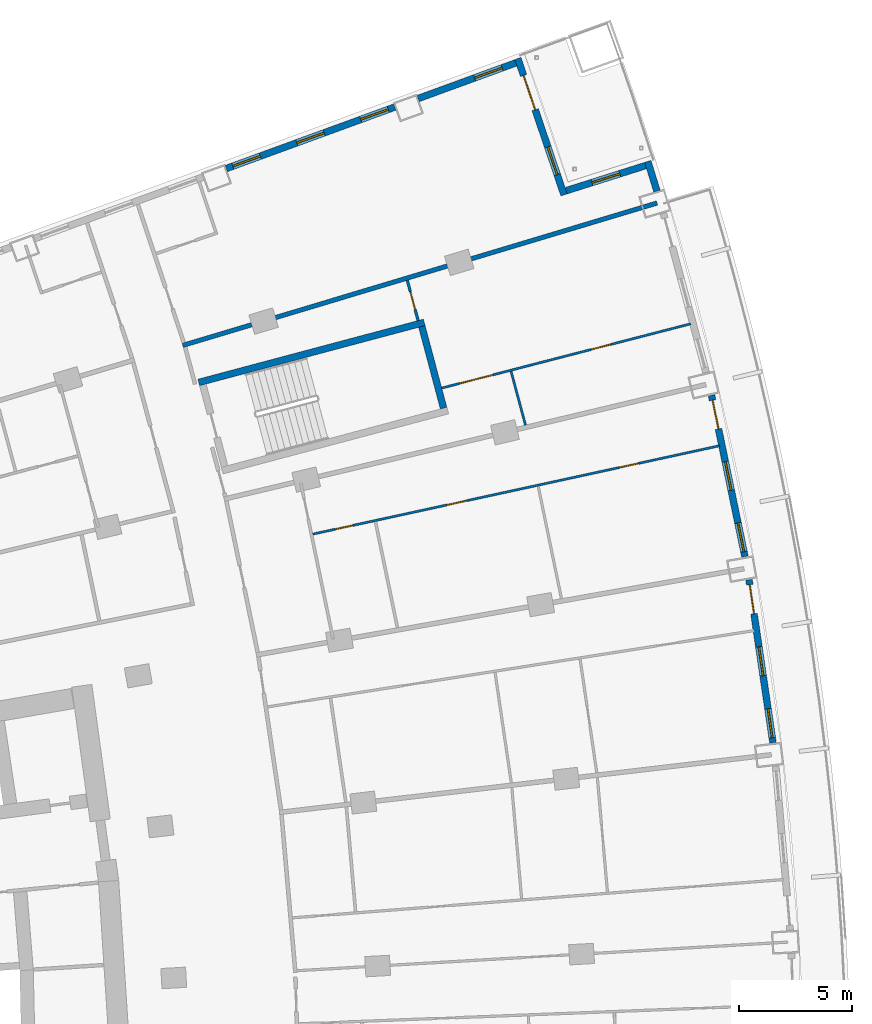
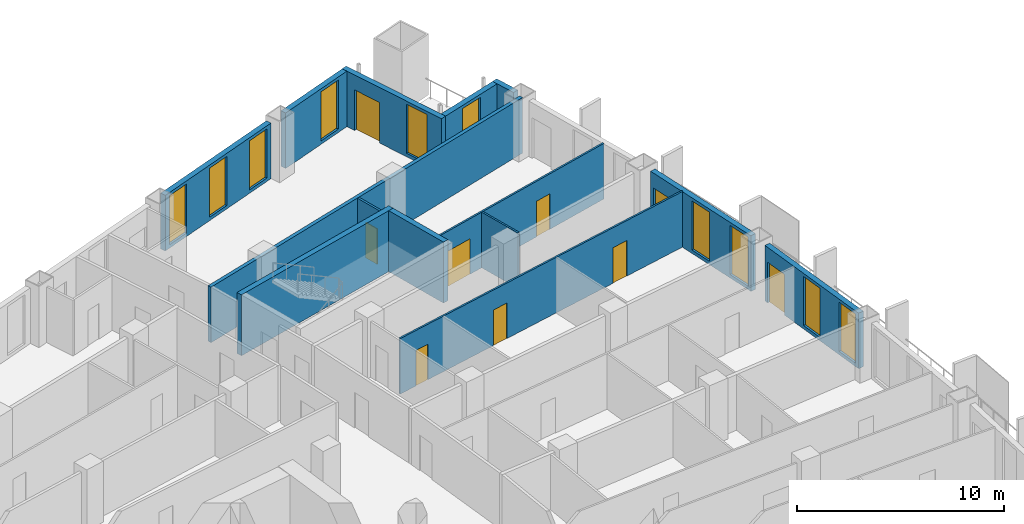
# One storey, part 21 of 25: 14 walls, 10 windows, 9 doors, 19 openings.
"""IFC4 building model written with IfcOpenShell, lengths in metres."""

from ifc_helpers import new_model, si_unit, direction, frame, frame_2d, origin, place, context, subcontext, project, spatial, rectangle, extrude, material, layer, layer_set, type_object, element, fill, save


model = new_model("IFC4")

# Units and contexts
model_context = context("Model", 3, precision=1e-05, world=origin(), true_north=direction((0.0, 1.0)))
body_context = subcontext(model_context, "Body", "Model", "MODEL_VIEW")
ifc_project = project(units=[si_unit("LENGTHUNIT", "METRE"), si_unit("AREAUNIT", "SQUARE_METRE"), si_unit("VOLUMEUNIT", "CUBIC_METRE"), si_unit("PLANEANGLEUNIT", "RADIAN"), si_unit("MASSUNIT", "GRAM", prefix="KILO")], contexts=[model_context])

# Site, building, storey
site_placement = place(None, origin())
site = spatial("IfcSite", under=ifc_project, at=site_placement, CompositionType="ELEMENT")
building_placement = place(site_placement, origin())
building = spatial("IfcBuilding", under=site, at=building_placement, Name="Alderwake Tower", CompositionType="ELEMENT")
storey_placement = place(building_placement, frame((0.0, 0.0, 46.39990234375)))
storey = spatial("IfcBuildingStorey", under=building, at=storey_placement, Name="L10", CompositionType="ELEMENT", Elevation=46.39990234375)

# Walls
ifc_material_1 = material(Name="Concrete C70/85", Category="concrete")
ifc_layer_1 = layer(ifc_material_1, 0.300048828125)
ifc_layer_set_1 = layer_set([ifc_layer_1], Name="Core wall stair enclosure 300 C70-85")
wall_type_1 = type_object("IfcWallType", Name="Core wall stair enclosure 300 C70-85", PredefinedType="SHEAR", material=ifc_layer_set_1)
wall_1_placement = place(storey_placement, frame((36.71142578125, 94.182373046875, 0.0), z_axis=(0.0, 0.0, 1.0), x_axis=(0.966309214305, 0.257383958996, 0.0)))
element("IfcWall", 1, at=wall_1_placement, inside=storey, type_object=wall_type_1, Name="Core wall CW.082", PredefinedType="SHEAR", context=body_context, shape_type="SweptSolid", body=[
    extrude(rectangle(XDim=10.360107421875, YDim=0.300048828125, at=frame_2d((5.18017578125, 0.0))), origin(), (0.0, 0.0, 1.0), 3.60009765625),
])
wall_2_placement = place(storey_placement, frame((47.581298828125, 93.041748046875, 0.0), z_axis=(0.0, 0.0, 1.0), x_axis=(-0.257366821694, 0.966313778796, 0.0)))
element("IfcWall", 2, at=wall_2_placement, inside=storey, type_object=wall_type_1, Name="Core wall CW.081", PredefinedType="SHEAR", context=body_context, shape_type="SweptSolid", body=[
    extrude(rectangle(XDim=3.749755859375, YDim=0.300048828125, at=frame_2d((1.875, 0.0))), origin(), (0.0, 0.0, 1.0), 3.60009765625),
])

# Wall, openings, door, windows
ifc_material_2 = material(Name="Precast concrete C50/60 spandrel panel", Category="concrete")
ifc_layer_2 = layer(ifc_material_2, 0.300048828125)
ifc_layer_set_2 = layer_set([ifc_layer_2], Name="External wall EW1 Precast concrete C50/60 spandrel")
wall_type_2 = type_object("IfcWallType", Name="External wall EW1 Precast concrete C50/60 spandrel", PredefinedType="SOLIDWALL", material=ifc_layer_set_2)
wall_3_placement = place(storey_placement, frame((62.199951171875, 78.193603515625, 0.0), z_axis=(0.0, 0.0, 1.0), x_axis=(-0.145326596696, 0.989383737633, 0.0)))
wall_3 = element("IfcWall", 3, at=wall_3_placement, inside=storey, type_object=wall_type_2, Name="External wall 19", PredefinedType="SOLIDWALL", context=body_context, shape_type="SweptSolid", body=[
    extrude(rectangle(XDim=7.30615234375, YDim=0.300048828125, at=frame_2d((3.653076171875, 0.0))), origin(), (0.0, 0.0, 1.0), 3.280029296875),
])
opening_1_placement = place(wall_3_placement, frame((0.222900390625, 0.0, 0.199951171875)))
opening_1 = element("IfcOpeningElement", 4, at=opening_1_placement, cuts=wall_3, Name="Opening W1", PredefinedType="OPENING", context=body_context, shape_type="SweptSolid", body=[
    extrude(rectangle(XDim=1.300048828125, YDim=2.89990234375, at=frame_2d((0.64990234375, 1.449951171875))), frame((0.0, 0.159912109375, 0.0), z_axis=(0.0, -1.0, 0.0), x_axis=(1.0, 0.0, 0.0)), (0.0, 0.0, 1.0), 0.320068359375),
])
opening_2_placement = place(wall_3_placement, frame((3.0029296875, 0.0, 0.199951171875)))
opening_2 = element("IfcOpeningElement", 5, at=opening_2_placement, cuts=wall_3, Name="Opening W1", PredefinedType="OPENING", context=body_context, shape_type="SweptSolid", body=[
    extrude(rectangle(XDim=1.300048828125, YDim=2.89990234375, at=frame_2d((0.64990234375, 1.449951171875))), frame((0.0, 0.159912109375, 0.0), z_axis=(0.0, -1.0, 0.0), x_axis=(1.0, 0.0, 0.0)), (0.0, 0.0, 1.0), 0.320068359375),
])
opening_3_placement = place(wall_3_placement, frame((5.783203125, 0.0, 0.0)))
opening_3 = element("IfcOpeningElement", 6, at=opening_3_placement, cuts=wall_3, Name="Opening D10", PredefinedType="OPENING", context=body_context, shape_type="SweptSolid", body=[
    extrude(rectangle(XDim=1.300048828125, YDim=2.39990234375, at=frame_2d((0.64990234375, 1.199951171875))), frame((0.0, 0.159912109375, 0.0), z_axis=(0.0, -1.0, 0.0), x_axis=(1.0, 0.0, 0.0)), (0.0, 0.0, 1.0), 0.320068359375),
])
ifc_material_3 = material(Name="Bronze tinted glass in aluminium frame", Category="aluminium")
door_type_1 = type_object("IfcDoorType", Name="Balcony door BD sliding", OperationType="SLIDING_TO_LEFT", PredefinedType="DOOR", material=ifc_material_3)
door_1_placement = place(opening_3_placement, origin())
door_1 = element("IfcDoor", 7, at=door_1_placement, inside=storey, type_object=door_type_1, Name="Door D10", OperationType="SLIDING_TO_LEFT", OverallHeight=2.39990234375, OverallWidth=1.300048828125, PredefinedType="DOOR", context=body_context, shape_type="SweptSolid", body=[
    extrude(rectangle(XDim=1.300048828125, YDim=2.39990234375, at=frame_2d((0.64990234375, 1.199951171875))), frame((0.0, 0.02490234375, 0.0), z_axis=(0.0, -1.0, 0.0), x_axis=(1.0, 0.0, 0.0)), (0.0, 0.0, 1.0), 0.050048828125),
])
fill(opening_3, door_1)
ifc_material_4 = material(Name="Bronze tinted glass in aluminium frame", Category="aluminium")
window_type = type_object("IfcWindowType", Name="Window W1 tall fixed and vent", PartitioningType="DOUBLE_PANEL_VERTICAL", PredefinedType="WINDOW", material=ifc_material_4)
window_1_placement = place(opening_1_placement, origin())
window_1 = element("IfcWindow", 8, at=window_1_placement, inside=storey, type_object=window_type, Name="Window W1 tall fixed and vent", OverallHeight=2.89990234375, OverallWidth=1.300048828125, PartitioningType="DOUBLE_PANEL_VERTICAL", PredefinedType="WINDOW", context=body_context, shape_type="SweptSolid", body=[
    extrude(rectangle(XDim=1.300048828125, YDim=2.89990234375, at=frame_2d((0.64990234375, 1.449951171875))), frame((0.0, 0.030029296875, 0.0), z_axis=(0.0, -1.0, 0.0), x_axis=(1.0, 0.0, 0.0)), (0.0, 0.0, 1.0), 0.06005859375),
])
fill(opening_1, window_1)
window_2_placement = place(opening_2_placement, origin())
window_2 = element("IfcWindow", 9, at=window_2_placement, inside=storey, type_object=window_type, Name="Window W1 tall fixed and vent", OverallHeight=2.89990234375, OverallWidth=1.300048828125, PartitioningType="DOUBLE_PANEL_VERTICAL", PredefinedType="WINDOW", context=body_context, shape_type="SweptSolid", body=[
    extrude(rectangle(XDim=1.300048828125, YDim=2.89990234375, at=frame_2d((0.64990234375, 1.449951171875))), frame((0.0, 0.030029296875, 0.0), z_axis=(0.0, -1.0, 0.0), x_axis=(1.0, 0.0, 0.0)), (0.0, 0.0, 1.0), 0.06005859375),
])
fill(opening_2, window_2)

wall_4_placement = place(storey_placement, frame((60.955810546875, 86.45458984375, 0.0), z_axis=(0.0, 0.0, 1.0), x_axis=(-0.202769138353, 0.979226570581, 0.0)))
wall_4 = element("IfcWall", 10, at=wall_4_placement, inside=storey, type_object=wall_type_2, Name="External wall 20", PredefinedType="SOLIDWALL", context=body_context, shape_type="SweptSolid", body=[
    extrude(rectangle(XDim=7.30615234375, YDim=0.300048828125, at=frame_2d((3.653076171875, 0.0))), origin(), (0.0, 0.0, 1.0), 3.280029296875),
])
opening_4_placement = place(wall_4_placement, frame((0.222900390625, 0.0, 0.199951171875)))
opening_4 = element("IfcOpeningElement", 11, at=opening_4_placement, cuts=wall_4, Name="Opening W1", PredefinedType="OPENING", context=body_context, shape_type="SweptSolid", body=[
    extrude(rectangle(XDim=1.300048828125, YDim=2.89990234375, at=frame_2d((0.64990234375, 1.449951171875))), frame((0.0, 0.159912109375, 0.0), z_axis=(0.0, -1.0, 0.0), x_axis=(1.0, 0.0, 0.0)), (0.0, 0.0, 1.0), 0.320068359375),
])
opening_5_placement = place(wall_4_placement, frame((3.0029296875, 0.0, 0.199951171875)))
opening_5 = element("IfcOpeningElement", 12, at=opening_5_placement, cuts=wall_4, Name="Opening W1", PredefinedType="OPENING", context=body_context, shape_type="SweptSolid", body=[
    extrude(rectangle(XDim=1.300048828125, YDim=2.89990234375, at=frame_2d((0.64990234375, 1.449951171875))), frame((0.0, 0.159912109375, 0.0), z_axis=(0.0, -1.0, 0.0), x_axis=(1.0, 0.0, 0.0)), (0.0, 0.0, 1.0), 0.320068359375),
])
opening_6_placement = place(wall_4_placement, frame((5.783203125, 0.0, 0.0)))
opening_6 = element("IfcOpeningElement", 13, at=opening_6_placement, cuts=wall_4, Name="Opening D11", PredefinedType="OPENING", context=body_context, shape_type="SweptSolid", body=[
    extrude(rectangle(XDim=1.300048828125, YDim=2.39990234375, at=frame_2d((0.64990234375, 1.199951171875))), frame((0.0, 0.159912109375, 0.0), z_axis=(0.0, -1.0, 0.0), x_axis=(1.0, 0.0, 0.0)), (0.0, 0.0, 1.0), 0.320068359375),
])
door_2_placement = place(opening_6_placement, origin())
door_2 = element("IfcDoor", 14, at=door_2_placement, inside=storey, type_object=door_type_1, Name="Door D11", OperationType="SLIDING_TO_LEFT", OverallHeight=2.39990234375, OverallWidth=1.300048828125, PredefinedType="DOOR", context=body_context, shape_type="SweptSolid", body=[
    extrude(rectangle(XDim=1.300048828125, YDim=2.39990234375, at=frame_2d((0.64990234375, 1.199951171875))), frame((0.0, 0.02490234375, 0.0), z_axis=(0.0, -1.0, 0.0), x_axis=(1.0, 0.0, 0.0)), (0.0, 0.0, 1.0), 0.050048828125),
])
fill(opening_6, door_2)
window_3_placement = place(opening_4_placement, origin())
window_3 = element("IfcWindow", 15, at=window_3_placement, inside=storey, type_object=window_type, Name="Window W1 tall fixed and vent", OverallHeight=2.89990234375, OverallWidth=1.300048828125, PartitioningType="DOUBLE_PANEL_VERTICAL", PredefinedType="WINDOW", context=body_context, shape_type="SweptSolid", body=[
    extrude(rectangle(XDim=1.300048828125, YDim=2.89990234375, at=frame_2d((0.64990234375, 1.449951171875))), frame((0.0, 0.030029296875, 0.0), z_axis=(0.0, -1.0, 0.0), x_axis=(1.0, 0.0, 0.0)), (0.0, 0.0, 1.0), 0.06005859375),
])
fill(opening_4, window_3)
window_4_placement = place(opening_5_placement, origin())
window_4 = element("IfcWindow", 16, at=window_4_placement, inside=storey, type_object=window_type, Name="Window W1 tall fixed and vent", OverallHeight=2.89990234375, OverallWidth=1.300048828125, PartitioningType="DOUBLE_PANEL_VERTICAL", PredefinedType="WINDOW", context=body_context, shape_type="SweptSolid", body=[
    extrude(rectangle(XDim=1.300048828125, YDim=2.89990234375, at=frame_2d((0.64990234375, 1.449951171875))), frame((0.0, 0.030029296875, 0.0), z_axis=(0.0, -1.0, 0.0), x_axis=(1.0, 0.0, 0.0)), (0.0, 0.0, 1.0), 0.06005859375),
])
fill(opening_5, window_4)

# Wall
wall_5_placement = place(storey_placement, frame((57.05078125, 102.67529296875, 0.0), z_axis=(0.0, 0.0, 1.0), x_axis=(-0.294532511954, 0.95564145965, 0.0)))
element("IfcWall", 17, at=wall_5_placement, inside=storey, type_object=wall_type_2, Name="External wall 22", PredefinedType="SOLIDWALL", context=body_context, shape_type="SweptSolid", body=[
    extrude(rectangle(XDim=1.382568359375, YDim=0.300048828125, at=frame_2d((0.69140625, 0.0))), origin(), (0.0, 0.0, 1.0), 3.280029296875),
])

# Wall, opening, window
ifc_material_5 = material(Name="Bronze metal cladding on lightweight framing")
ifc_layer_3 = layer(ifc_material_5, 0.300048828125)
ifc_layer_set_3 = layer_set([ifc_layer_3], Name="External wall EW2 bronze metal cladding")
wall_type_3 = type_object("IfcWallType", Name="External wall EW2 bronze metal cladding", PredefinedType="SOLIDWALL", material=ifc_layer_set_3)
wall_6_placement = place(storey_placement, frame((56.544677734375, 103.80810546875, 0.0), z_axis=(0.0, 0.0, 1.0), x_axis=(-0.953466730622, -0.301498248083, 0.0)))
wall_6 = element("IfcWall", 18, at=wall_6_placement, inside=storey, type_object=wall_type_3, Name="External wall 23", PredefinedType="SOLIDWALL", context=body_context, shape_type="SweptSolid", body=[
    extrude(rectangle(XDim=3.694091796875, YDim=0.300048828125, at=frame_2d((1.84716796875, 0.0))), origin(), (0.0, 0.0, 1.0), 3.280029296875),
])
opening_7_placement = place(wall_6_placement, frame((1.197021484375, 0.0, 0.199951171875)))
opening_7 = element("IfcOpeningElement", 19, at=opening_7_placement, cuts=wall_6, Name="Opening W1", PredefinedType="OPENING", context=body_context, shape_type="SweptSolid", body=[
    extrude(rectangle(XDim=1.300048828125, YDim=2.89990234375, at=frame_2d((0.64990234375, 1.449951171875))), frame((0.0, 0.159912109375, 0.0), z_axis=(0.0, -1.0, 0.0), x_axis=(1.0, 0.0, 0.0)), (0.0, 0.0, 1.0), 0.320068359375),
])
window_5_placement = place(opening_7_placement, origin())
window_5 = element("IfcWindow", 20, at=window_5_placement, inside=storey, type_object=window_type, Name="Window W1 tall fixed and vent", OverallHeight=2.89990234375, OverallWidth=1.300048828125, PartitioningType="DOUBLE_PANEL_VERTICAL", PredefinedType="WINDOW", context=body_context, shape_type="SweptSolid", body=[
    extrude(rectangle(XDim=1.300048828125, YDim=2.89990234375, at=frame_2d((0.64990234375, 1.449951171875))), frame((0.0, 0.030029296875, 0.0), z_axis=(0.0, -1.0, 0.0), x_axis=(1.0, 0.0, 0.0)), (0.0, 0.0, 1.0), 0.06005859375),
])
fill(opening_7, window_5)

# Wall, openings, door, window
wall_7_placement = place(storey_placement, frame((52.927490234375, 102.507080078125, 0.0), z_axis=(0.0, 0.0, 1.0), x_axis=(-0.320933594425, 0.947101698853, 0.0)))
wall_7 = element("IfcWall", 21, at=wall_7_placement, inside=storey, type_object=wall_type_3, Name="External wall 24", PredefinedType="SOLIDWALL", context=body_context, shape_type="SweptSolid", body=[
    extrude(rectangle(XDim=6.3916015625, YDim=0.300048828125, at=frame_2d((3.19580078125, 0.0))), origin(), (0.0, 0.0, 1.0), 3.280029296875),
])
opening_8_placement = place(wall_7_placement, frame((0.947998046875, 0.0, 0.199951171875)))
opening_8 = element("IfcOpeningElement", 22, at=opening_8_placement, cuts=wall_7, Name="Opening W1", PredefinedType="OPENING", context=body_context, shape_type="SweptSolid", body=[
    extrude(rectangle(XDim=1.300048828125, YDim=2.89990234375, at=frame_2d((0.64990234375, 1.449951171875))), frame((0.0, 0.159912109375, 0.0), z_axis=(0.0, -1.0, 0.0), x_axis=(1.0, 0.0, 0.0)), (0.0, 0.0, 1.0), 0.320068359375),
])
opening_9_placement = place(wall_7_placement, frame((3.993896484375, 0.0, 0.0)))
opening_9 = element("IfcOpeningElement", 23, at=opening_9_placement, cuts=wall_7, Name="Opening D13", PredefinedType="OPENING", context=body_context, shape_type="SweptSolid", body=[
    extrude(rectangle(XDim=1.60009765625, YDim=2.39990234375, at=frame_2d((0.800048828125, 1.199951171875))), frame((0.0, 0.159912109375, 0.0), z_axis=(0.0, -1.0, 0.0), x_axis=(1.0, 0.0, 0.0)), (0.0, 0.0, 1.0), 0.320068359375),
])
ifc_material_6 = material(Name="Bronze tinted glass in aluminium frame", Category="aluminium")
door_type_2 = type_object("IfcDoorType", Name="Terrace door TD sliding", OperationType="SLIDING_TO_LEFT", PredefinedType="DOOR", material=ifc_material_6)
door_3_placement = place(opening_9_placement, origin())
door_3 = element("IfcDoor", 24, at=door_3_placement, inside=storey, type_object=door_type_2, Name="Door D13", OperationType="SLIDING_TO_LEFT", OverallHeight=2.39990234375, OverallWidth=1.60009765625, PredefinedType="DOOR", context=body_context, shape_type="SweptSolid", body=[
    extrude(rectangle(XDim=1.60009765625, YDim=2.39990234375, at=frame_2d((0.800048828125, 1.199951171875))), frame((0.0, 0.02490234375, 0.0), z_axis=(0.0, -1.0, 0.0), x_axis=(1.0, 0.0, 0.0)), (0.0, 0.0, 1.0), 0.050048828125),
])
fill(opening_9, door_3)
window_6_placement = place(opening_8_placement, origin())
window_6 = element("IfcWindow", 25, at=window_6_placement, inside=storey, type_object=window_type, Name="Window W1 tall fixed and vent", OverallHeight=2.89990234375, OverallWidth=1.300048828125, PartitioningType="DOUBLE_PANEL_VERTICAL", PredefinedType="WINDOW", context=body_context, shape_type="SweptSolid", body=[
    extrude(rectangle(XDim=1.300048828125, YDim=2.89990234375, at=frame_2d((0.64990234375, 1.449951171875))), frame((0.0, 0.030029296875, 0.0), z_axis=(0.0, -1.0, 0.0), x_axis=(1.0, 0.0, 0.0)), (0.0, 0.0, 1.0), 0.06005859375),
])
fill(opening_8, window_6)

# Wall, opening, window
wall_8_placement = place(storey_placement, frame((50.78369140625, 108.3671875, 0.0), z_axis=(0.0, 0.0, 1.0), x_axis=(-0.939364626907, -0.342919958177, 0.0)))
wall_8 = element("IfcWall", 26, at=wall_8_placement, inside=storey, type_object=wall_type_3, Name="External wall 25", PredefinedType="SOLIDWALL", context=body_context, shape_type="SweptSolid", body=[
    extrude(rectangle(XDim=4.61279296875, YDim=0.300048828125, at=frame_2d((2.306396484375, 0.0))), origin(), (0.0, 0.0, 1.0), 3.280029296875),
])
opening_10_placement = place(wall_8_placement, frame((0.64111328125, 0.0, 0.199951171875)))
opening_10 = element("IfcOpeningElement", 27, at=opening_10_placement, cuts=wall_8, Name="Opening W1", PredefinedType="OPENING", context=body_context, shape_type="SweptSolid", body=[
    extrude(rectangle(XDim=1.300048828125, YDim=2.89990234375, at=frame_2d((0.64990234375, 1.449951171875))), frame((0.0, 0.159912109375, 0.0), z_axis=(0.0, -1.0, 0.0), x_axis=(1.0, 0.0, 0.0)), (0.0, 0.0, 1.0), 0.320068359375),
])
window_7_placement = place(opening_10_placement, origin())
window_7 = element("IfcWindow", 28, at=window_7_placement, inside=storey, type_object=window_type, Name="Window W1 tall fixed and vent", OverallHeight=2.89990234375, OverallWidth=1.300048828125, PartitioningType="DOUBLE_PANEL_VERTICAL", PredefinedType="WINDOW", context=body_context, shape_type="SweptSolid", body=[
    extrude(rectangle(XDim=1.300048828125, YDim=2.89990234375, at=frame_2d((0.64990234375, 1.449951171875))), frame((0.0, 0.030029296875, 0.0), z_axis=(0.0, -1.0, 0.0), x_axis=(1.0, 0.0, 0.0)), (0.0, 0.0, 1.0), 0.06005859375),
])
fill(opening_10, window_7)

# Wall, openings, windows
wall_9_placement = place(storey_placement, frame((45.41357421875, 106.406982421875, 0.0), z_axis=(0.0, 0.0, 1.0), x_axis=(-0.939370174945, -0.34290475999, 0.0)))
wall_9 = element("IfcWall", 29, at=wall_9_placement, inside=storey, type_object=wall_type_3, Name="External wall 26", PredefinedType="SOLIDWALL", context=body_context, shape_type="SweptSolid", body=[
    extrude(rectangle(XDim=7.962646484375, YDim=0.300048828125, at=frame_2d((3.9814453125, 0.0))), origin(), (0.0, 0.0, 1.0), 3.280029296875),
])
opening_11_placement = place(wall_9_placement, frame((0.30908203125, 0.0, 0.199951171875)))
opening_11 = element("IfcOpeningElement", 30, at=opening_11_placement, cuts=wall_9, Name="Opening W1", PredefinedType="OPENING", context=body_context, shape_type="SweptSolid", body=[
    extrude(rectangle(XDim=1.300048828125, YDim=2.89990234375, at=frame_2d((0.64990234375, 1.449951171875))), frame((0.0, 0.159912109375, 0.0), z_axis=(0.0, -1.0, 0.0), x_axis=(1.0, 0.0, 0.0)), (0.0, 0.0, 1.0), 0.320068359375),
])
opening_12_placement = place(wall_9_placement, frame((3.331298828125, 0.0, 0.199951171875)))
opening_12 = element("IfcOpeningElement", 31, at=opening_12_placement, cuts=wall_9, Name="Opening W1", PredefinedType="OPENING", context=body_context, shape_type="SweptSolid", body=[
    extrude(rectangle(XDim=1.300048828125, YDim=2.89990234375, at=frame_2d((0.64990234375, 1.449951171875))), frame((0.0, 0.159912109375, 0.0), z_axis=(0.0, -1.0, 0.0), x_axis=(1.0, 0.0, 0.0)), (0.0, 0.0, 1.0), 0.320068359375),
])
opening_13_placement = place(wall_9_placement, frame((6.353515625, 0.0, 0.199951171875)))
opening_13 = element("IfcOpeningElement", 32, at=opening_13_placement, cuts=wall_9, Name="Opening W1", PredefinedType="OPENING", context=body_context, shape_type="SweptSolid", body=[
    extrude(rectangle(XDim=1.300048828125, YDim=2.89990234375, at=frame_2d((0.64990234375, 1.449951171875))), frame((0.0, 0.159912109375, 0.0), z_axis=(0.0, -1.0, 0.0), x_axis=(1.0, 0.0, 0.0)), (0.0, 0.0, 1.0), 0.320068359375),
])
window_8_placement = place(opening_11_placement, origin())
window_8 = element("IfcWindow", 33, at=window_8_placement, inside=storey, type_object=window_type, Name="Window W1 tall fixed and vent", OverallHeight=2.89990234375, OverallWidth=1.300048828125, PartitioningType="DOUBLE_PANEL_VERTICAL", PredefinedType="WINDOW", context=body_context, shape_type="SweptSolid", body=[
    extrude(rectangle(XDim=1.300048828125, YDim=2.89990234375, at=frame_2d((0.64990234375, 1.449951171875))), frame((0.0, 0.030029296875, 0.0), z_axis=(0.0, -1.0, 0.0), x_axis=(1.0, 0.0, 0.0)), (0.0, 0.0, 1.0), 0.06005859375),
])
fill(opening_11, window_8)
window_9_placement = place(opening_12_placement, origin())
window_9 = element("IfcWindow", 34, at=window_9_placement, inside=storey, type_object=window_type, Name="Window W1 tall fixed and vent", OverallHeight=2.89990234375, OverallWidth=1.300048828125, PartitioningType="DOUBLE_PANEL_VERTICAL", PredefinedType="WINDOW", context=body_context, shape_type="SweptSolid", body=[
    extrude(rectangle(XDim=1.300048828125, YDim=2.89990234375, at=frame_2d((0.64990234375, 1.449951171875))), frame((0.0, 0.030029296875, 0.0), z_axis=(0.0, -1.0, 0.0), x_axis=(1.0, 0.0, 0.0)), (0.0, 0.0, 1.0), 0.06005859375),
])
fill(opening_12, window_9)
window_10_placement = place(opening_13_placement, origin())
window_10 = element("IfcWindow", 35, at=window_10_placement, inside=storey, type_object=window_type, Name="Window W1 tall fixed and vent", OverallHeight=2.89990234375, OverallWidth=1.300048828125, PartitioningType="DOUBLE_PANEL_VERTICAL", PredefinedType="WINDOW", context=body_context, shape_type="SweptSolid", body=[
    extrude(rectangle(XDim=1.300048828125, YDim=2.89990234375, at=frame_2d((0.64990234375, 1.449951171875))), frame((0.0, 0.030029296875, 0.0), z_axis=(0.0, -1.0, 0.0), x_axis=(1.0, 0.0, 0.0)), (0.0, 0.0, 1.0), 0.06005859375),
])
fill(opening_13, window_10)

# Wall
ifc_material_7 = material(Name="Dense block masonry wall", Category="masonry")
ifc_layer_4 = layer(ifc_material_7, 0.199951171875)
ifc_layer_set_4 = layer_set([ifc_layer_4], Name="Party wall 200")
wall_type_4 = type_object("IfcWallType", Name="Party wall 200", PredefinedType="SOLIDWALL", material=ifc_layer_set_4)
wall_10_placement = place(storey_placement, frame((57.056884765625, 102.14697265625, 0.0), z_axis=(0.0, 0.0, 1.0), x_axis=(-0.957772159576, -0.287528242685, 0.0)))
element("IfcWall", 36, at=wall_10_placement, inside=storey, type_object=wall_type_4, Name="WL/L10/W07", PredefinedType="SOLIDWALL", context=body_context, shape_type="SweptSolid", body=[
    extrude(rectangle(XDim=21.980712890625, YDim=0.199951171875, at=frame_2d((10.990234375, 0.0))), origin(), (0.0, 0.0, 1.0), 3.280029296875),
])

# Wall, openings, doors
ifc_material_8 = material(Name="Gypsum board on metal studs")
ifc_layer_5 = layer(ifc_material_8, 0.10009765625)
ifc_layer_set_5 = layer_set([ifc_layer_5], Name="Unit partition 100")
wall_type_5 = type_object("IfcWallType", Name="Unit partition 100", PredefinedType="PARTITIONING", material=ifc_layer_set_5)
wall_11_placement = place(storey_placement, frame((59.8349609375, 91.3740234375, 0.0), z_axis=(0.0, 0.0, 1.0), x_axis=(-0.977210328397, -0.212273347536, 0.0)))
wall_11 = element("IfcWall", 37, at=wall_11_placement, inside=storey, type_object=wall_type_5, Name="WL/L10/W73", PredefinedType="PARTITIONING", context=body_context, shape_type="SweptSolid", body=[
    extrude(rectangle(XDim=18.482421875, YDim=0.10009765625, at=frame_2d((9.2412109375, 0.0))), origin(), (0.0, 0.0, 1.0), 3.280029296875),
])
opening_14_placement = place(wall_11_placement, frame((11.498291015625, 0.0, 0.0)))
opening_14 = element("IfcOpeningElement", 38, at=opening_14_placement, cuts=wall_11, Name="Opening R02-U10.1", PredefinedType="OPENING", context=body_context, shape_type="SweptSolid", body=[
    extrude(rectangle(XDim=0.89990234375, YDim=2.10009765625, at=frame_2d((0.449951171875, 1.050048828125))), frame((0.0, 0.06005859375, 0.0), z_axis=(0.0, -1.0, 0.0), x_axis=(1.0, 0.0, 0.0)), (0.0, 0.0, 1.0), 0.1201171875),
])
opening_15_placement = place(wall_11_placement, frame((16.663330078125, 0.0, 0.0)))
opening_15 = element("IfcOpeningElement", 39, at=opening_15_placement, cuts=wall_11, Name="Opening R02-U10.4", PredefinedType="OPENING", context=body_context, shape_type="SweptSolid", body=[
    extrude(rectangle(XDim=0.800048828125, YDim=2.10009765625, at=frame_2d((0.39990234375, 1.050048828125))), frame((0.0, 0.06005859375, 0.0), z_axis=(0.0, -1.0, 0.0), x_axis=(1.0, 0.0, 0.0)), (0.0, 0.0, 1.0), 0.1201171875),
])
opening_16_placement = place(wall_11_placement, frame((3.67626953125, 0.0, 0.0)))
opening_16 = element("IfcOpeningElement", 40, at=opening_16_placement, cuts=wall_11, Name="Opening R02-U10.5", PredefinedType="OPENING", context=body_context, shape_type="SweptSolid", body=[
    extrude(rectangle(XDim=0.89990234375, YDim=2.10009765625, at=frame_2d((0.449951171875, 1.050048828125))), frame((0.0, 0.06005859375, 0.0), z_axis=(0.0, -1.0, 0.0), x_axis=(1.0, 0.0, 0.0)), (0.0, 0.0, 1.0), 0.1201171875),
])
ifc_material_9 = material(Name="Painted timber leaf", Category="wood")
door_type_3 = type_object("IfcDoorType", Name="Bathroom door 800", OperationType="SINGLE_SWING_LEFT", PredefinedType="DOOR", material=ifc_material_9)
door_4_placement = place(opening_15_placement, origin())
door_4 = element("IfcDoor", 41, at=door_4_placement, inside=storey, type_object=door_type_3, Name="DR/L10/U10.4", OperationType="SINGLE_SWING_LEFT", OverallHeight=2.10009765625, OverallWidth=0.800048828125, PredefinedType="DOOR", context=body_context, shape_type="SweptSolid", body=[
    extrude(rectangle(XDim=0.800048828125, YDim=2.10009765625, at=frame_2d((0.39990234375, 1.050048828125))), frame((0.0, 0.02490234375, 0.0), z_axis=(0.0, -1.0, 0.0), x_axis=(1.0, 0.0, 0.0)), (0.0, 0.0, 1.0), 0.050048828125),
])
fill(opening_15, door_4)
ifc_material_10 = material(Name="Painted timber leaf", Category="wood")
door_type_4 = type_object("IfcDoorType", Name="Room door 900", OperationType="SINGLE_SWING_LEFT", PredefinedType="DOOR", material=ifc_material_10)
door_5_placement = place(opening_14_placement, origin())
door_5 = element("IfcDoor", 42, at=door_5_placement, inside=storey, type_object=door_type_4, Name="DR/L10/U10.1", OperationType="SINGLE_SWING_LEFT", OverallHeight=2.10009765625, OverallWidth=0.89990234375, PredefinedType="DOOR", context=body_context, shape_type="SweptSolid", body=[
    extrude(rectangle(XDim=0.89990234375, YDim=2.10009765625, at=frame_2d((0.449951171875, 1.050048828125))), frame((0.0, 0.02490234375, 0.0), z_axis=(0.0, -1.0, 0.0), x_axis=(1.0, 0.0, 0.0)), (0.0, 0.0, 1.0), 0.050048828125),
])
fill(opening_14, door_5)
door_6_placement = place(opening_16_placement, origin())
door_6 = element("IfcDoor", 43, at=door_6_placement, inside=storey, type_object=door_type_4, Name="DR/L10/U10.5", OperationType="SINGLE_SWING_LEFT", OverallHeight=2.10009765625, OverallWidth=0.89990234375, PredefinedType="DOOR", context=body_context, shape_type="SweptSolid", body=[
    extrude(rectangle(XDim=0.89990234375, YDim=2.10009765625, at=frame_2d((0.449951171875, 1.050048828125))), frame((0.0, 0.02490234375, 0.0), z_axis=(0.0, -1.0, 0.0), x_axis=(1.0, 0.0, 0.0)), (0.0, 0.0, 1.0), 0.050048828125),
])
fill(opening_16, door_6)

wall_12_placement = place(storey_placement, frame((47.4990234375, 93.93310546875, 0.0), z_axis=(0.0, 0.0, 1.0), x_axis=(0.968247427207, 0.249993839338, 0.0)))
wall_12 = element("IfcWall", 44, at=wall_12_placement, inside=storey, type_object=wall_type_5, Name="WL/L10/W76", PredefinedType="PARTITIONING", context=body_context, shape_type="SweptSolid", body=[
    extrude(rectangle(XDim=11.411376953125, YDim=0.10009765625, at=frame_2d((5.70556640625, 0.0))), origin(), (0.0, 0.0, 1.0), 3.280029296875),
])
opening_17_placement = place(wall_12_placement, frame((0.831787109375, 0.0, 0.0)))
opening_17 = element("IfcOpeningElement", 45, at=opening_17_placement, cuts=wall_12, Name="Opening R02-U02.2", PredefinedType="OPENING", context=body_context, shape_type="SweptSolid", body=[
    extrude(rectangle(XDim=1.5, YDim=2.10009765625, at=frame_2d((0.75, 1.050048828125))), frame((0.0, 0.06005859375, 0.0), z_axis=(0.0, -1.0, 0.0), x_axis=(1.0, 0.0, 0.0)), (0.0, 0.0, 1.0), 0.1201171875),
])
opening_18_placement = place(wall_12_placement, frame((6.83740234375, 0.0, 0.0)))
opening_18 = element("IfcOpeningElement", 46, at=opening_18_placement, cuts=wall_12, Name="Opening R02-U02.3", PredefinedType="OPENING", context=body_context, shape_type="SweptSolid", body=[
    extrude(rectangle(XDim=0.89990234375, YDim=2.10009765625, at=frame_2d((0.449951171875, 1.050048828125))), frame((0.0, 0.06005859375, 0.0), z_axis=(0.0, -1.0, 0.0), x_axis=(1.0, 0.0, 0.0)), (0.0, 0.0, 1.0), 0.1201171875),
])
ifc_material_11 = material(Name="Painted timber leaves", Category="wood")
door_type_5 = type_object("IfcDoorType", Name="Double leaf door 1500", OperationType="DOUBLE_DOOR_SINGLE_SWING", PredefinedType="DOOR", material=ifc_material_11)
door_7_placement = place(opening_17_placement, origin())
door_7 = element("IfcDoor", 47, at=door_7_placement, inside=storey, type_object=door_type_5, Name="DR/L10/U02.2", OperationType="DOUBLE_DOOR_SINGLE_SWING", OverallHeight=2.10009765625, OverallWidth=1.5, PredefinedType="DOOR", context=body_context, shape_type="SweptSolid", body=[
    extrude(rectangle(XDim=1.5, YDim=2.10009765625, at=frame_2d((0.75, 1.050048828125))), frame((0.0, 0.02490234375, 0.0), z_axis=(0.0, -1.0, 0.0), x_axis=(1.0, 0.0, 0.0)), (0.0, 0.0, 1.0), 0.050048828125),
])
fill(opening_17, door_7)
door_8_placement = place(opening_18_placement, origin())
door_8 = element("IfcDoor", 48, at=door_8_placement, inside=storey, type_object=door_type_4, Name="DR/L10/U02.3", OperationType="SINGLE_SWING_LEFT", OverallHeight=2.10009765625, OverallWidth=0.89990234375, PredefinedType="DOOR", context=body_context, shape_type="SweptSolid", body=[
    extrude(rectangle(XDim=0.89990234375, YDim=2.10009765625, at=frame_2d((0.449951171875, 1.050048828125))), frame((0.0, 0.02490234375, 0.0), z_axis=(0.0, -1.0, 0.0), x_axis=(1.0, 0.0, 0.0)), (0.0, 0.0, 1.0), 0.050048828125),
])
fill(opening_18, door_8)

# Wall
wall_13_placement = place(storey_placement, frame((51.217041015625, 92.28662109375, 0.0), z_axis=(0.0, 0.0, 1.0), x_axis=(-0.259442778972, 0.965758481422, 0.0)))
element("IfcWall", 49, at=wall_13_placement, inside=storey, type_object=wall_type_5, Name="WL/L10/W82", PredefinedType="PARTITIONING", context=body_context, shape_type="SweptSolid", body=[
    extrude(rectangle(XDim=2.474853515625, YDim=0.10009765625, at=frame_2d((1.2373046875, 0.0))), origin(), (0.0, 0.0, 1.0), 3.280029296875),
])

# Wall, opening, door
ifc_material_12 = material(Name="Moisture resistant gypsum board on metal studs")
ifc_layer_6 = layer(ifc_material_12, 0.1201171875)
ifc_layer_set_6 = layer_set([ifc_layer_6], Name="Wet room partition 120")
wall_type_6 = type_object("IfcWallType", Name="Wet room partition 120", PredefinedType="PARTITIONING", material=ifc_layer_set_6)
wall_14_placement = place(storey_placement, frame((46.448974609375, 96.929931640625, 0.0), z_axis=(0.0, 0.0, 1.0), x_axis=(-0.258764710752, 0.965940383497, 0.0)))
wall_14 = element("IfcWall", 50, at=wall_14_placement, inside=storey, type_object=wall_type_6, Name="WL/L10/W61", PredefinedType="PARTITIONING", context=body_context, shape_type="SweptSolid", body=[
    extrude(rectangle(XDim=1.847412109375, YDim=0.1201171875, at=frame_2d((0.923828125, 0.0))), origin(), (0.0, 0.0, 1.0), 3.280029296875),
])
opening_19_placement = place(wall_14_placement, frame((0.524169921875, 0.0, 0.0)))
opening_19 = element("IfcOpeningElement", 51, at=opening_19_placement, cuts=wall_14, Name="Opening R02-U02.4", PredefinedType="OPENING", context=body_context, shape_type="SweptSolid", body=[
    extrude(rectangle(XDim=0.800048828125, YDim=2.10009765625, at=frame_2d((0.39990234375, 1.050048828125))), frame((0.0, 0.070068359375, 0.0), z_axis=(0.0, -1.0, 0.0), x_axis=(1.0, 0.0, 0.0)), (0.0, 0.0, 1.0), 0.14013671875),
])
door_9_placement = place(opening_19_placement, origin())
door_9 = element("IfcDoor", 52, at=door_9_placement, inside=storey, type_object=door_type_3, Name="DR/L10/U02.4", OperationType="SINGLE_SWING_LEFT", OverallHeight=2.10009765625, OverallWidth=0.800048828125, PredefinedType="DOOR", context=body_context, shape_type="SweptSolid", body=[
    extrude(rectangle(XDim=0.800048828125, YDim=2.10009765625, at=frame_2d((0.39990234375, 1.050048828125))), frame((0.0, 0.02490234375, 0.0), z_axis=(0.0, -1.0, 0.0), x_axis=(1.0, 0.0, 0.0)), (0.0, 0.0, 1.0), 0.050048828125),
])
fill(opening_19, door_9)

save(model, "model.ifc")
